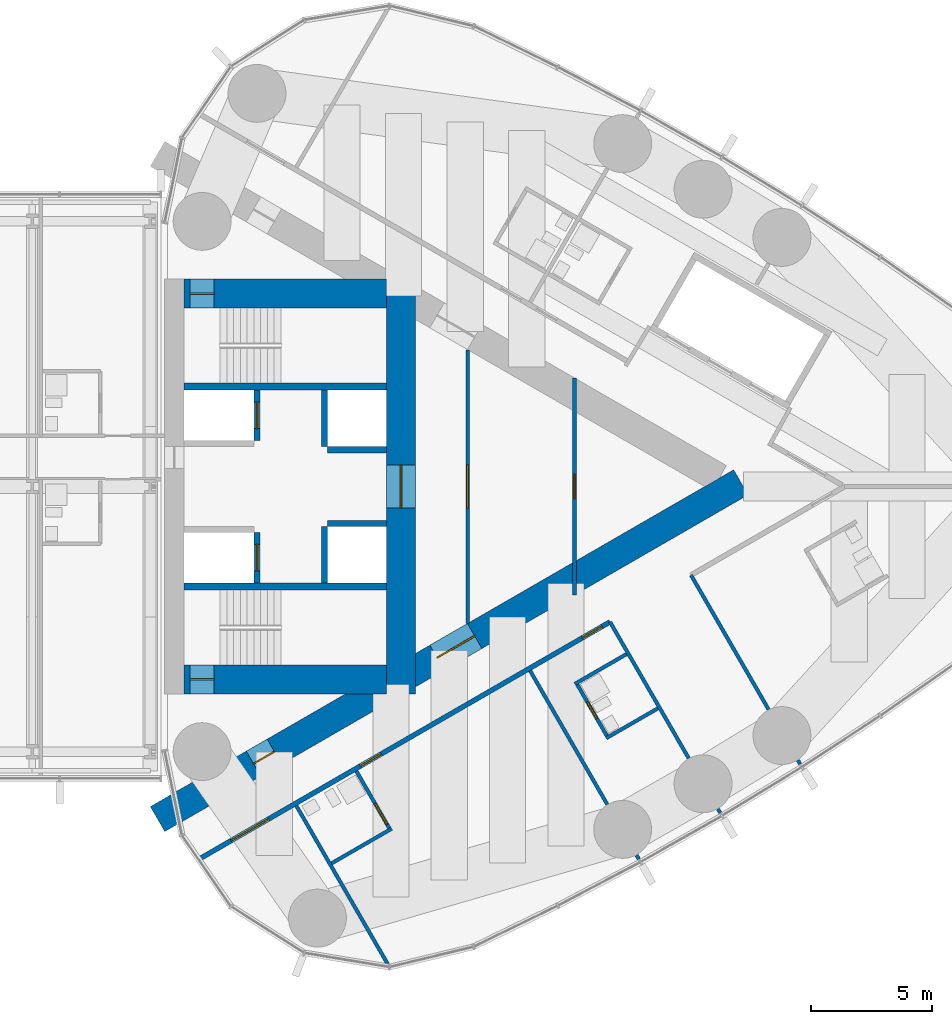
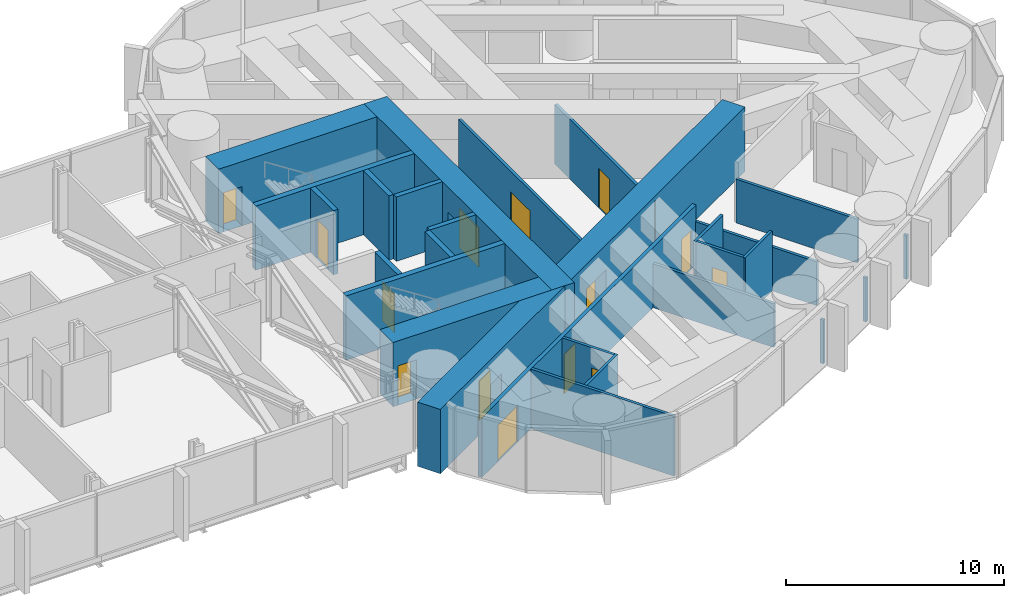
# One storey, part 18 of 22: 27 walls, 14 doors, 14 openings.
"""IFC4 building model written with IfcOpenShell, lengths in metres."""

from ifc_helpers import new_model, si_unit, direction, frame, frame_2d, origin, place, context, subcontext, project, spatial, rectangle, extrude, material, layer, layer_set, type_object, element, fill, save


model = new_model("IFC4")

# Units and contexts
model_context = context("Model", 3, precision=1e-05, world=origin(), true_north=direction((0.0, 1.0)))
body_context = subcontext(model_context, "Body", "Model", "MODEL_VIEW")
ifc_project = project(units=[si_unit("LENGTHUNIT", "METRE"), si_unit("AREAUNIT", "SQUARE_METRE"), si_unit("VOLUMEUNIT", "CUBIC_METRE"), si_unit("PLANEANGLEUNIT", "RADIAN"), si_unit("MASSUNIT", "GRAM", prefix="KILO")], contexts=[model_context])

# Site, building, storey
site_placement = place(None, origin())
site = spatial("IfcSite", under=ifc_project, at=site_placement, CompositionType="ELEMENT")
building_placement = place(site_placement, origin())
building = spatial("IfcBuilding", under=site, at=building_placement, Name="Lancet Gate Hotel", CompositionType="ELEMENT")
storey_placement = place(building_placement, frame((0.0, 0.0, 233.300048828125)))
storey = spatial("IfcBuildingStorey", under=building, at=storey_placement, Name="L62", CompositionType="ELEMENT", Elevation=233.300048828125)

# Wall
ifc_material_1 = material(Name="Moisture resistant board partition")
ifc_layer_1 = layer(ifc_material_1, 0.14990234375)
ifc_layer_set_1 = layer_set([ifc_layer_1], Name="Bathroom wall 150")
wall_type_1 = type_object("IfcWallType", Name="Bathroom wall 150", PredefinedType="PARTITIONING", material=ifc_layer_set_1)
wall_1_placement = place(storey_placement, frame((34.425048828125, -15.633056640625, 0.0), z_axis=(0.0, 0.0, 1.0), x_axis=(0.866018712932, 0.500011588718, 0.0)))
element("IfcWall", 1, at=wall_1_placement, inside=storey, type_object=wall_type_1, Name="T2 bathroom wall 150 L62", PredefinedType="PARTITIONING", context=body_context, shape_type="SweptSolid", body=[
    extrude(rectangle(XDim=2.875, YDim=0.14990234375, at=frame_2d((1.4375, 0.0))), origin(), (0.0, 0.0, 1.0), 3.349853515625),
])

# Wall, opening, door
wall_2_placement = place(storey_placement, frame((35.449951171875, -11.80810546875, 0.0), z_axis=(0.0, 0.0, 1.0), x_axis=(0.49994636267, -0.866056369097, 0.0)))
wall_2 = element("IfcWall", 2, at=wall_2_placement, inside=storey, type_object=wall_type_1, Name="T2 bathroom wall 150 L62", PredefinedType="PARTITIONING", context=body_context, shape_type="SweptSolid", body=[
    extrude(rectangle(XDim=2.800048828125, YDim=0.14990234375, at=frame_2d((1.39990234375, 0.0))), origin(), (0.0, 0.0, 1.0), 3.349853515625),
])
opening_1_placement = place(wall_2_placement, frame((1.550048828125, 0.0, 0.0)))
opening_1 = element("IfcOpeningElement", 3, at=opening_1_placement, cuts=wall_2, Name="Opening 6252-B", PredefinedType="OPENING", context=body_context, shape_type="SweptSolid", body=[
    extrude(rectangle(XDim=1.0, YDim=2.199951171875, at=frame_2d((0.5, 1.10009765625))), frame((0.0, 0.0849609375, 0.0), z_axis=(0.0, -1.0, 0.0), x_axis=(1.0, 0.0, 0.0)), (0.0, 0.0, 1.0), 0.169921875),
])
ifc_material_2 = material(Name="Timber door set", Category="wood")
door_type_1 = type_object("IfcDoorType", Name="Accessible en-suite door 1000", OperationType="SINGLE_SWING_RIGHT", PredefinedType="DOOR", material=ifc_material_2)
door_1_placement = place(opening_1_placement, origin())
door_1 = element("IfcDoor", 4, at=door_1_placement, inside=storey, type_object=door_type_1, Name="6252-B", OperationType="SINGLE_SWING_RIGHT", OverallHeight=2.199951171875, OverallWidth=1.0, PredefinedType="DOOR", context=body_context, shape_type="SweptSolid", body=[
    extrude(rectangle(XDim=1.0, YDim=2.199951171875, at=frame_2d((0.5, 1.10009765625))), frame((0.0, 0.02490234375, 0.0), z_axis=(0.0, -1.0, 0.0), x_axis=(1.0, 0.0, 0.0)), (0.0, 0.0, 1.0), 0.050048828125),
])
fill(opening_1, door_1)

# Wall
wall_3_placement = place(storey_placement, frame((45.814453125, -10.44287109375, 0.0), z_axis=(0.0, 0.0, 1.0), x_axis=(0.866073894602, 0.499916002032, 0.0)))
element("IfcWall", 5, at=wall_3_placement, inside=storey, type_object=wall_type_1, Name="T2 bathroom wall 150 L62", PredefinedType="PARTITIONING", context=body_context, shape_type="SweptSolid", body=[
    extrude(rectangle(XDim=2.47509765625, YDim=0.14990234375, at=frame_2d((1.237548828125, 0.0))), origin(), (0.0, 0.0, 1.0), 3.349853515625),
])

# Wall, opening, door
wall_4_placement = place(storey_placement, frame((44.579345703125, -8.15380859375, 0.0), z_axis=(0.0, 0.0, 1.0), x_axis=(0.500006934395, -0.866021400173, 0.0)))
wall_4 = element("IfcWall", 6, at=wall_4_placement, inside=storey, type_object=wall_type_1, Name="T2 bathroom wall 150 L62", PredefinedType="PARTITIONING", context=body_context, shape_type="SweptSolid", body=[
    extrude(rectangle(XDim=2.60009765625, YDim=0.14990234375, at=frame_2d((1.300048828125, 0.0))), origin(), (0.0, 0.0, 1.0), 3.349853515625),
])
opening_2_placement = place(wall_4_placement, frame((0.89990234375, 0.0, 0.0)))
opening_2 = element("IfcOpeningElement", 7, at=opening_2_placement, cuts=wall_4, Name="Opening 6253-B", PredefinedType="OPENING", context=body_context, shape_type="SweptSolid", body=[
    extrude(rectangle(XDim=0.800048828125, YDim=2.199951171875, at=frame_2d((0.39990234375, 1.10009765625))), frame((0.0, 0.0849609375, 0.0), z_axis=(0.0, -1.0, 0.0), x_axis=(1.0, 0.0, 0.0)), (0.0, 0.0, 1.0), 0.169921875),
])
ifc_material_3 = material(Name="Timber door set", Category="wood")
door_type_2 = type_object("IfcDoorType", Name="Bathroom door 800", OperationType="SINGLE_SWING_RIGHT", PredefinedType="DOOR", material=ifc_material_3)
door_2_placement = place(opening_2_placement, origin())
door_2 = element("IfcDoor", 8, at=door_2_placement, inside=storey, type_object=door_type_2, Name="6253-B", OperationType="SINGLE_SWING_RIGHT", OverallHeight=2.199951171875, OverallWidth=0.800048828125, PredefinedType="DOOR", context=body_context, shape_type="SweptSolid", body=[
    extrude(rectangle(XDim=0.800048828125, YDim=2.199951171875, at=frame_2d((0.39990234375, 1.10009765625))), frame((0.0, 0.02490234375, 0.0), z_axis=(0.0, -1.0, 0.0), x_axis=(1.0, 0.0, 0.0)), (0.0, 0.0, 1.0), 0.050048828125),
])
fill(opening_2, door_2)

# Wall
wall_5_placement = place(storey_placement, frame((44.514404296875, -8.19140625, 0.0), z_axis=(0.0, 0.0, 1.0), x_axis=(0.866031185235, 0.4999899861, 0.0)))
element("IfcWall", 9, at=wall_5_placement, inside=storey, type_object=wall_type_1, Name="T2 bathroom wall 150 L62", PredefinedType="PARTITIONING", context=body_context, shape_type="SweptSolid", body=[
    extrude(rectangle(XDim=2.47509765625, YDim=0.14990234375, at=frame_2d((1.237548828125, 0.0))), origin(), (0.0, 0.0, 1.0), 3.349853515625),
])

# Wall, openings, doors
ifc_material_4 = material(Name="Concrete C70/85", Category="concrete")
ifc_layer_2 = layer(ifc_material_4, 1.199951171875)
ifc_layer_set_2 = layer_set([ifc_layer_2], Name="Buttress wall 1200")
wall_type_2 = type_object("IfcWallType", Name="Buttress wall 1200", PredefinedType="SHEAR", material=ifc_layer_set_2)
wall_6_placement = place(storey_placement, frame((27.199951171875, -13.800048828125, 0.0), z_axis=(0.0, 0.0, 1.0), x_axis=(0.866027159892, 0.499996958321, 0.0)))
wall_6 = element("IfcWall", 10, at=wall_6_placement, inside=storey, type_object=wall_type_2, Name="T2 buttress wall S L62", PredefinedType="SHEAR", context=body_context, shape_type="SweptSolid", body=[
    extrude(rectangle(XDim=27.946533203125, YDim=1.199951171875, at=frame_2d((13.97314453125, 0.0))), origin(), (0.0, 0.0, 1.0), 3.599853515625),
])
opening_3_placement = place(wall_6_placement, frame((4.60009765625, 0.0, 0.0)))
opening_3 = element("IfcOpeningElement", 11, at=opening_3_placement, cuts=wall_6, Name="Opening T2-L62-LS", PredefinedType="OPENING", context=body_context, shape_type="SweptSolid", body=[
    extrude(rectangle(XDim=1.0, YDim=2.199951171875, at=frame_2d((0.5, 1.10009765625))), frame((0.0, 0.60986328125, 0.0), z_axis=(0.0, -1.0, 0.0), x_axis=(1.0, 0.0, 0.0)), (0.0, 0.0, 1.0), 1.219970703125),
])
opening_4_placement = place(wall_6_placement, frame((13.39453125, 0.0, 0.0)))
opening_4 = element("IfcOpeningElement", 12, at=opening_4_placement, cuts=wall_6, Name="Opening T2-L62-LHS", PredefinedType="OPENING", context=body_context, shape_type="SweptSolid", body=[
    extrude(rectangle(XDim=1.800048828125, YDim=2.199951171875, at=frame_2d((0.89990234375, 1.10009765625))), frame((0.0, 0.60986328125, 0.0), z_axis=(0.0, -1.0, 0.0), x_axis=(1.0, 0.0, 0.0)), (0.0, 0.0, 1.0), 1.219970703125),
])
ifc_material_5 = material(Name="Timber door set", Category="wood")
door_type_3 = type_object("IfcDoorType", Name="Lobby double door 1800", OperationType="DOUBLE_DOOR_SINGLE_SWING", PredefinedType="DOOR", material=ifc_material_5)
door_3_placement = place(opening_4_placement, origin())
door_3 = element("IfcDoor", 13, at=door_3_placement, inside=storey, type_object=door_type_3, Name="T2-L62-LHS", OperationType="DOUBLE_DOOR_SINGLE_SWING", OverallHeight=2.199951171875, OverallWidth=1.800048828125, PredefinedType="DOOR", context=body_context, shape_type="SweptSolid", body=[
    extrude(rectangle(XDim=1.800048828125, YDim=2.199951171875, at=frame_2d((0.89990234375, 1.10009765625))), frame((0.0, 0.02490234375, 0.0), z_axis=(0.0, -1.0, 0.0), x_axis=(1.0, 0.0, 0.0)), (0.0, 0.0, 1.0), 0.050048828125),
])
fill(opening_4, door_3)
ifc_material_6 = material(Name="Timber door set", Category="wood")
door_type_4 = type_object("IfcDoorType", Name="Stair lobby door 1000", OperationType="SINGLE_SWING_LEFT", PredefinedType="DOOR", material=ifc_material_6)
door_4_placement = place(opening_3_placement, origin())
door_4 = element("IfcDoor", 14, at=door_4_placement, inside=storey, type_object=door_type_4, Name="T2-L62-LS", OperationType="SINGLE_SWING_LEFT", OverallHeight=2.199951171875, OverallWidth=1.0, PredefinedType="DOOR", context=body_context, shape_type="SweptSolid", body=[
    extrude(rectangle(XDim=1.0, YDim=2.199951171875, at=frame_2d((0.5, 1.10009765625))), frame((0.0, 0.02490234375, 0.0), z_axis=(0.0, -1.0, 0.0), x_axis=(1.0, 0.0, 0.0)), (0.0, 0.0, 1.0), 0.050048828125),
])
fill(opening_3, door_4)

# Wall, opening, door
ifc_material_7 = material(Name="Concrete C70/85", Category="concrete")
ifc_layer_3 = layer(ifc_material_7, 1.199951171875)
ifc_layer_set_3 = layer_set([ifc_layer_3], Name="Core wall 1200")
wall_type_3 = type_object("IfcWallType", Name="Core wall 1200", PredefinedType="SHEAR", material=ifc_layer_set_3)
wall_7_placement = place(storey_placement, frame((37.300048828125, -8.60009765625, 0.0), z_axis=(0.0, 0.0, 1.0), x_axis=(0.0, 1.0, 0.0)))
wall_7 = element("IfcWall", 15, at=wall_7_placement, inside=storey, type_object=wall_type_3, Name="T2 core wall back L62", PredefinedType="SHEAR", context=body_context, shape_type="SweptSolid", body=[
    extrude(rectangle(XDim=17.2001953125, YDim=1.199951171875, at=frame_2d((8.60009765625, 0.0))), origin(), (0.0, 0.0, 1.0), 3.599853515625),
])
opening_5_placement = place(wall_7_placement, frame((7.699951171875, 0.0, 0.0)))
opening_5 = element("IfcOpeningElement", 16, at=opening_5_placement, cuts=wall_7, Name="Opening T2-L62-LL", PredefinedType="OPENING", context=body_context, shape_type="SweptSolid", body=[
    extrude(rectangle(XDim=1.800048828125, YDim=2.199951171875, at=frame_2d((0.89990234375, 1.10009765625))), frame((0.0, 0.60986328125, 0.0), z_axis=(0.0, -1.0, 0.0), x_axis=(1.0, 0.0, 0.0)), (0.0, 0.0, 1.0), 1.219970703125),
])
door_5_placement = place(opening_5_placement, origin())
door_5 = element("IfcDoor", 17, at=door_5_placement, inside=storey, type_object=door_type_3, Name="T2-L62-LL", OperationType="DOUBLE_DOOR_SINGLE_SWING", OverallHeight=2.199951171875, OverallWidth=1.800048828125, PredefinedType="DOOR", context=body_context, shape_type="SweptSolid", body=[
    extrude(rectangle(XDim=1.800048828125, YDim=2.199951171875, at=frame_2d((0.89990234375, 1.10009765625))), frame((0.0, 0.02490234375, 0.0), z_axis=(0.0, -1.0, 0.0), x_axis=(1.0, 0.0, 0.0)), (0.0, 0.0, 1.0), 0.050048828125),
])
fill(opening_5, door_5)

wall_8_placement = place(storey_placement, frame((28.300048828125, -8.0, 0.0), z_axis=(0.0, 0.0, 1.0), x_axis=(1.0, 0.0, 0.0)))
wall_8 = element("IfcWall", 18, at=wall_8_placement, inside=storey, type_object=wall_type_3, Name="T2 core wall side-S L62", PredefinedType="SHEAR", context=body_context, shape_type="SweptSolid", body=[
    extrude(rectangle(XDim=8.39990234375, YDim=1.199951171875, at=frame_2d((4.199951171875, 0.0))), origin(), (0.0, 0.0, 1.0), 3.599853515625),
])
opening_6_placement = place(wall_8_placement, frame((0.25, 0.0, 0.0)))
opening_6 = element("IfcOpeningElement", 19, at=opening_6_placement, cuts=wall_8, Name="Opening T2-L62-ST1", PredefinedType="OPENING", context=body_context, shape_type="SweptSolid", body=[
    extrude(rectangle(XDim=1.0, YDim=2.199951171875, at=frame_2d((0.5, 1.10009765625))), frame((0.0, 0.60986328125, 0.0), z_axis=(0.0, -1.0, 0.0), x_axis=(1.0, 0.0, 0.0)), (0.0, 0.0, 1.0), 1.219970703125),
])
ifc_material_8 = material(Name="Timber door set", Category="wood")
door_type_5 = type_object("IfcDoorType", Name="Stair door 1000", OperationType="SINGLE_SWING_RIGHT", PredefinedType="DOOR", material=ifc_material_8)
door_6_placement = place(opening_6_placement, origin())
door_6 = element("IfcDoor", 20, at=door_6_placement, inside=storey, type_object=door_type_5, Name="T2-L62-ST1", OperationType="SINGLE_SWING_RIGHT", OverallHeight=2.199951171875, OverallWidth=1.0, PredefinedType="DOOR", context=body_context, shape_type="SweptSolid", body=[
    extrude(rectangle(XDim=1.0, YDim=2.199951171875, at=frame_2d((0.5, 1.10009765625))), frame((0.0, 0.02490234375, 0.0), z_axis=(0.0, -1.0, 0.0), x_axis=(1.0, 0.0, 0.0)), (0.0, 0.0, 1.0), 0.050048828125),
])
fill(opening_6, door_6)

wall_9_placement = place(storey_placement, frame((28.300048828125, 8.0, 0.0), z_axis=(0.0, 0.0, 1.0), x_axis=(1.0, 0.0, 0.0)))
wall_9 = element("IfcWall", 21, at=wall_9_placement, inside=storey, type_object=wall_type_3, Name="T2 core wall side-N L62", PredefinedType="SHEAR", context=body_context, shape_type="SweptSolid", body=[
    extrude(rectangle(XDim=8.39990234375, YDim=1.199951171875, at=frame_2d((4.199951171875, 0.0))), origin(), (0.0, 0.0, 1.0), 3.599853515625),
])
opening_7_placement = place(wall_9_placement, frame((0.25, 0.0, 0.0)))
opening_7 = element("IfcOpeningElement", 22, at=opening_7_placement, cuts=wall_9, Name="Opening T2-L62-ST2", PredefinedType="OPENING", context=body_context, shape_type="SweptSolid", body=[
    extrude(rectangle(XDim=1.0, YDim=2.199951171875, at=frame_2d((0.5, 1.10009765625))), frame((0.0, 0.60986328125, 0.0), z_axis=(0.0, -1.0, 0.0), x_axis=(1.0, 0.0, 0.0)), (0.0, 0.0, 1.0), 1.219970703125),
])
door_7_placement = place(opening_7_placement, origin())
door_7 = element("IfcDoor", 23, at=door_7_placement, inside=storey, type_object=door_type_5, Name="T2-L62-ST2", OperationType="SINGLE_SWING_RIGHT", OverallHeight=2.199951171875, OverallWidth=1.0, PredefinedType="DOOR", context=body_context, shape_type="SweptSolid", body=[
    extrude(rectangle(XDim=1.0, YDim=2.199951171875, at=frame_2d((0.5, 1.10009765625))), frame((0.0, 0.02490234375, 0.0), z_axis=(0.0, -1.0, 0.0), x_axis=(1.0, 0.0, 0.0)), (0.0, 0.0, 1.0), 0.050048828125),
])
fill(opening_7, door_7)

# Wall, openings, doors
ifc_material_9 = material(Name="Gypsum board partition")
ifc_layer_4 = layer(ifc_material_9, 0.199951171875)
ifc_layer_set_4 = layer_set([ifc_layer_4], Name="Corridor wall 200")
wall_type_4 = type_object("IfcWallType", Name="Corridor wall 200", PredefinedType="PARTITIONING", material=ifc_layer_set_4)
wall_10_placement = place(storey_placement, frame((28.958984375, -15.440185546875, 0.0), z_axis=(0.0, 0.0, 1.0), x_axis=(0.866025204199, 0.500000345692, 0.0)))
wall_10 = element("IfcWall", 24, at=wall_10_placement, inside=storey, type_object=wall_type_4, Name="T2 corridor wall 200 L62", PredefinedType="PARTITIONING", context=body_context, shape_type="SweptSolid", body=[
    extrude(rectangle(XDim=19.64599609375, YDim=0.199951171875, at=frame_2d((9.822998046875, 0.0))), origin(), (0.0, 0.0, 1.0), 3.349853515625),
])
opening_8_placement = place(wall_10_placement, frame((1.49365234375, 0.0, 0.0)))
opening_8 = element("IfcOpeningElement", 25, at=opening_8_placement, cuts=wall_10, Name="Opening 6251-E", PredefinedType="OPENING", context=body_context, shape_type="SweptSolid", body=[
    extrude(rectangle(XDim=1.800048828125, YDim=2.030029296875, at=frame_2d((0.89990234375, 1.01513671875))), frame((0.0, 0.10986328125, 0.0), z_axis=(0.0, -1.0, 0.0), x_axis=(1.0, 0.0, 0.0)), (0.0, 0.0, 1.0), 0.219970703125),
])
opening_9_placement = place(wall_10_placement, frame((7.687255859375, 0.0, 0.0)))
opening_9 = element("IfcOpeningElement", 26, at=opening_9_placement, cuts=wall_10, Name="Opening 6252-E", PredefinedType="OPENING", context=body_context, shape_type="SweptSolid", body=[
    extrude(rectangle(XDim=1.0, YDim=2.199951171875, at=frame_2d((0.5, 1.10009765625))), frame((0.0, 0.10986328125, 0.0), z_axis=(0.0, -1.0, 0.0), x_axis=(1.0, 0.0, 0.0)), (0.0, 0.0, 1.0), 0.219970703125),
])
opening_10_placement = place(wall_10_placement, frame((18.32080078125, 0.0, 0.0)))
opening_10 = element("IfcOpeningElement", 27, at=opening_10_placement, cuts=wall_10, Name="Opening 6253-E", PredefinedType="OPENING", context=body_context, shape_type="SweptSolid", body=[
    extrude(rectangle(XDim=0.949951171875, YDim=2.199951171875, at=frame_2d((0.47509765625, 1.10009765625))), frame((0.0, 0.10986328125, 0.0), z_axis=(0.0, -1.0, 0.0), x_axis=(1.0, 0.0, 0.0)), (0.0, 0.0, 1.0), 0.219970703125),
])
ifc_material_10 = material(Name="Timber door set", Category="wood")
door_type_6 = type_object("IfcDoorType", Name="Accessible guest room door 1000", OperationType="SINGLE_SWING_LEFT", PredefinedType="DOOR", material=ifc_material_10)
door_8_placement = place(opening_9_placement, origin())
door_8 = element("IfcDoor", 28, at=door_8_placement, inside=storey, type_object=door_type_6, Name="6252-E", OperationType="SINGLE_SWING_LEFT", OverallHeight=2.199951171875, OverallWidth=1.0, PredefinedType="DOOR", context=body_context, shape_type="SweptSolid", body=[
    extrude(rectangle(XDim=1.0, YDim=2.199951171875, at=frame_2d((0.5, 1.10009765625))), frame((0.0, 0.02490234375, 0.0), z_axis=(0.0, -1.0, 0.0), x_axis=(1.0, 0.0, 0.0)), (0.0, 0.0, 1.0), 0.050048828125),
])
fill(opening_9, door_8)
ifc_material_11 = material(Name="Timber door set", Category="wood")
door_type_7 = type_object("IfcDoorType", Name="Double door 1800, 2030 high", OperationType="DOUBLE_DOOR_SINGLE_SWING", PredefinedType="DOOR", material=ifc_material_11)
door_9_placement = place(opening_8_placement, origin())
door_9 = element("IfcDoor", 29, at=door_9_placement, inside=storey, type_object=door_type_7, Name="6251-E", OperationType="DOUBLE_DOOR_SINGLE_SWING", OverallHeight=2.030029296875, OverallWidth=1.800048828125, PredefinedType="DOOR", context=body_context, shape_type="SweptSolid", body=[
    extrude(rectangle(XDim=1.800048828125, YDim=2.030029296875, at=frame_2d((0.89990234375, 1.01513671875))), frame((0.0, 0.02490234375, 0.0), z_axis=(0.0, -1.0, 0.0), x_axis=(1.0, 0.0, 0.0)), (0.0, 0.0, 1.0), 0.050048828125),
])
fill(opening_8, door_9)
ifc_material_12 = material(Name="Timber door set", Category="wood")
door_type_8 = type_object("IfcDoorType", Name="Guest room entry door 950", OperationType="SINGLE_SWING_LEFT", PredefinedType="DOOR", material=ifc_material_12)
door_10_placement = place(opening_10_placement, origin())
door_10 = element("IfcDoor", 30, at=door_10_placement, inside=storey, type_object=door_type_8, Name="6253-E", OperationType="SINGLE_SWING_LEFT", OverallHeight=2.199951171875, OverallWidth=0.949951171875, PredefinedType="DOOR", context=body_context, shape_type="SweptSolid", body=[
    extrude(rectangle(XDim=0.949951171875, YDim=2.199951171875, at=frame_2d((0.47509765625, 1.10009765625))), frame((0.0, 0.02490234375, 0.0), z_axis=(0.0, -1.0, 0.0), x_axis=(1.0, 0.0, 0.0)), (0.0, 0.0, 1.0), 0.050048828125),
])
fill(opening_10, door_10)

# Wall, opening, door
ifc_material_13 = material(Name="Concrete C50/60", Category="concrete")
ifc_layer_5 = layer(ifc_material_13, 0.25)
ifc_layer_set_5 = layer_set([ifc_layer_5], Name="Lift shaft wall 250")
wall_type_5 = type_object("IfcWallType", Name="Lift shaft wall 250", PredefinedType="SHEAR", material=ifc_layer_set_5)
wall_11_placement = place(storey_placement, frame((31.324951171875, -4.0, 0.0), z_axis=(0.0, 0.0, 1.0), x_axis=(0.0, 1.0, 0.0)))
wall_11 = element("IfcWall", 31, at=wall_11_placement, inside=storey, type_object=wall_type_5, Name="T2 core wall row1-S L62", PredefinedType="SHEAR", context=body_context, shape_type="SweptSolid", body=[
    extrude(rectangle(XDim=2.10009765625, YDim=0.25, at=frame_2d((1.050048828125, 0.0))), origin(), (0.0, 0.0, 1.0), 3.599853515625),
])
opening_11_placement = place(wall_11_placement, frame((0.5, 0.0, 0.0)))
opening_11 = element("IfcOpeningElement", 32, at=opening_11_placement, cuts=wall_11, Name="Opening T2-SL1-L62", PredefinedType="OPENING", context=body_context, shape_type="SweptSolid", body=[
    extrude(rectangle(XDim=1.10009765625, YDim=2.199951171875, at=frame_2d((0.550048828125, 1.10009765625))), frame((0.0, 0.135009765625, 0.0), z_axis=(0.0, -1.0, 0.0), x_axis=(1.0, 0.0, 0.0)), (0.0, 0.0, 1.0), 0.27001953125),
])
ifc_material_14 = material(Name="Timber door set", Category="wood")
door_type_9 = type_object("IfcDoorType", Name="Service lift landing door 1100", OperationType="SLIDING_TO_LEFT", PredefinedType="USERDEFINED", material=ifc_material_14)
door_11_placement = place(opening_11_placement, origin())
door_11 = element("IfcDoor", 33, at=door_11_placement, inside=storey, type_object=door_type_9, Name="T2-SL1-L62", ObjectType="LIFT LANDING DOOR", OperationType="SLIDING_TO_LEFT", OverallHeight=2.199951171875, OverallWidth=1.10009765625, PredefinedType="USERDEFINED", context=body_context, shape_type="SweptSolid", body=[
    extrude(rectangle(XDim=1.10009765625, YDim=2.199951171875, at=frame_2d((0.550048828125, 1.10009765625))), frame((0.0, 0.02490234375, 0.0), z_axis=(0.0, -1.0, 0.0), x_axis=(1.0, 0.0, 0.0)), (0.0, 0.0, 1.0), 0.050048828125),
])
fill(opening_11, door_11)

# Walls
wall_12_placement = place(storey_placement, frame((34.125, -4.0, 0.0), z_axis=(0.0, 0.0, 1.0), x_axis=(0.0, 1.0, 0.0)))
element("IfcWall", 34, at=wall_12_placement, inside=storey, type_object=wall_type_5, Name="T2 core wall row2-S L62", PredefinedType="SHEAR", context=body_context, shape_type="SweptSolid", body=[
    extrude(rectangle(XDim=2.35009765625, YDim=0.25, at=frame_2d((1.175048828125, 0.0))), origin(), (0.0, 0.0, 1.0), 3.599853515625),
])
wall_13_placement = place(storey_placement, frame((34.25, -1.52490234375, 0.0), z_axis=(0.0, 0.0, 1.0), x_axis=(1.0, 0.0, 0.0)))
element("IfcWall", 35, at=wall_13_placement, inside=storey, type_object=wall_type_5, Name="T2 core wall pass2-S L62", PredefinedType="SHEAR", context=body_context, shape_type="SweptSolid", body=[
    extrude(rectangle(XDim=2.449951171875, YDim=0.25, at=frame_2d((1.22509765625, 0.0))), origin(), (0.0, 0.0, 1.0), 3.599853515625),
])

# Wall, opening, door
wall_14_placement = place(storey_placement, frame((31.324951171875, 1.89990234375, 0.0), z_axis=(0.0, 0.0, 1.0), x_axis=(0.0, 1.0, 0.0)))
wall_14 = element("IfcWall", 36, at=wall_14_placement, inside=storey, type_object=wall_type_5, Name="T2 core wall row1-N L62", PredefinedType="SHEAR", context=body_context, shape_type="SweptSolid", body=[
    extrude(rectangle(XDim=2.10009765625, YDim=0.25, at=frame_2d((1.050048828125, 0.0))), origin(), (0.0, 0.0, 1.0), 3.599853515625),
])
opening_12_placement = place(wall_14_placement, frame((0.5, 0.0, 0.0)))
opening_12 = element("IfcOpeningElement", 37, at=opening_12_placement, cuts=wall_14, Name="Opening T2-FL2-L62", PredefinedType="OPENING", context=body_context, shape_type="SweptSolid", body=[
    extrude(rectangle(XDim=1.10009765625, YDim=2.199951171875, at=frame_2d((0.550048828125, 1.10009765625))), frame((0.0, 0.135009765625, 0.0), z_axis=(0.0, -1.0, 0.0), x_axis=(1.0, 0.0, 0.0)), (0.0, 0.0, 1.0), 0.27001953125),
])
ifc_material_15 = material(Name="Steel door set", Category="steel")
door_type_10 = type_object("IfcDoorType", Name="Firefighting lift landing door 1100", OperationType="SLIDING_TO_LEFT", PredefinedType="USERDEFINED", material=ifc_material_15)
door_12_placement = place(opening_12_placement, origin())
door_12 = element("IfcDoor", 38, at=door_12_placement, inside=storey, type_object=door_type_10, Name="T2-FL2-L62", ObjectType="LIFT LANDING DOOR", OperationType="SLIDING_TO_LEFT", OverallHeight=2.199951171875, OverallWidth=1.10009765625, PredefinedType="USERDEFINED", context=body_context, shape_type="SweptSolid", body=[
    extrude(rectangle(XDim=1.10009765625, YDim=2.199951171875, at=frame_2d((0.550048828125, 1.10009765625))), frame((0.0, 0.02490234375, 0.0), z_axis=(0.0, -1.0, 0.0), x_axis=(1.0, 0.0, 0.0)), (0.0, 0.0, 1.0), 0.050048828125),
])
fill(opening_12, door_12)

# Walls
wall_15_placement = place(storey_placement, frame((34.125, 1.64990234375, 0.0), z_axis=(0.0, 0.0, 1.0), x_axis=(0.0, 1.0, 0.0)))
element("IfcWall", 39, at=wall_15_placement, inside=storey, type_object=wall_type_5, Name="T2 core wall row2-N L62", PredefinedType="SHEAR", context=body_context, shape_type="SweptSolid", body=[
    extrude(rectangle(XDim=2.35009765625, YDim=0.25, at=frame_2d((1.175048828125, 0.0))), origin(), (0.0, 0.0, 1.0), 3.599853515625),
])
wall_16_placement = place(storey_placement, frame((34.25, 1.52490234375, 0.0), z_axis=(0.0, 0.0, 1.0), x_axis=(1.0, 0.0, 0.0)))
element("IfcWall", 40, at=wall_16_placement, inside=storey, type_object=wall_type_5, Name="T2 core wall pass2-N L62", PredefinedType="SHEAR", context=body_context, shape_type="SweptSolid", body=[
    extrude(rectangle(XDim=2.449951171875, YDim=0.25, at=frame_2d((1.22509765625, 0.0))), origin(), (0.0, 0.0, 1.0), 3.599853515625),
])
ifc_material_16 = material(Name="Gypsum board partition")
ifc_layer_6 = layer(ifc_material_16, 0.14990234375)
ifc_layer_set_6 = layer_set([ifc_layer_6], Name="Party wall 150")
wall_type_6 = type_object("IfcWallType", Name="Party wall 150", PredefinedType="PARTITIONING", material=ifc_layer_set_6)
wall_17_placement = place(storey_placement, frame((32.9599609375, -13.24560546875, 0.0), z_axis=(0.0, 0.0, 1.0), x_axis=(0.500000236886, -0.866025267018, 0.0)))
element("IfcWall", 41, at=wall_17_placement, inside=storey, type_object=wall_type_6, Name="T2 party wall 150 L62", PredefinedType="PARTITIONING", context=body_context, shape_type="SweptSolid", body=[
    extrude(rectangle(XDim=7.58251953125, YDim=0.14990234375, at=frame_2d((3.791259765625, 0.0))), origin(), (0.0, 0.0, 1.0), 3.349853515625),
])
wall_18_placement = place(storey_placement, frame((42.65966796875, -7.6455078125, 0.0), z_axis=(0.0, 0.0, 1.0), x_axis=(0.499996592859, -0.866027370889, 0.0)))
element("IfcWall", 42, at=wall_18_placement, inside=storey, type_object=wall_type_6, Name="T2 party wall 150 L62", PredefinedType="PARTITIONING", context=body_context, shape_type="SweptSolid", body=[
    extrude(rectangle(XDim=6.3984375, YDim=0.14990234375, at=frame_2d((3.19921875, 0.0))), origin(), (0.0, 0.0, 1.0), 2.449951171875),
])
wall_19_placement = place(storey_placement, frame((47.078857421875, -15.2998046875, 0.0), z_axis=(0.0, 0.0, 1.0), x_axis=(0.499212083968, -0.866479829667, 0.0)))
element("IfcWall", 43, at=wall_19_placement, inside=storey, type_object=wall_type_6, Name="T2 party wall 150 L62", PredefinedType="PARTITIONING", context=body_context, shape_type="SweptSolid", body=[
    extrude(rectangle(XDim=0.179443359375, YDim=0.14990234375, at=frame_2d((0.08984375, 0.0))), origin(), (0.0, 0.0, 1.0), 2.449951171875),
])
wall_20_placement = place(storey_placement, frame((45.972900390625, -5.6171875, 0.0), z_axis=(0.0, 0.0, 1.0), x_axis=(0.499985856986, -0.866033569104, 0.0)))
element("IfcWall", 44, at=wall_20_placement, inside=storey, type_object=wall_type_6, Name="T2 party wall 150 L62", PredefinedType="PARTITIONING", context=body_context, shape_type="SweptSolid", body=[
    extrude(rectangle(XDim=6.525634765625, YDim=0.14990234375, at=frame_2d((3.2626953125, 0.0))), origin(), (0.0, 0.0, 1.0), 2.449951171875),
])
wall_21_placement = place(storey_placement, frame((50.45556640625, -13.381591796875, 0.0), z_axis=(0.0, 0.0, 1.0), x_axis=(0.500661834965, -0.865642955848, 0.0)))
element("IfcWall", 45, at=wall_21_placement, inside=storey, type_object=wall_type_6, Name="T2 party wall 150 L62", PredefinedType="PARTITIONING", context=body_context, shape_type="SweptSolid", body=[
    extrude(rectangle(XDim=0.179931640625, YDim=0.14990234375, at=frame_2d((0.08984375, 0.0))), origin(), (0.0, 0.0, 1.0), 2.449951171875),
])
wall_22_placement = place(storey_placement, frame((49.335205078125, -3.676025390625, 0.0), z_axis=(0.0, 0.0, 1.0), x_axis=(0.500000613642, -0.866025049498, 0.0)))
element("IfcWall", 46, at=wall_22_placement, inside=storey, type_object=wall_type_6, Name="T2 party wall 150 L62", PredefinedType="PARTITIONING", context=body_context, shape_type="SweptSolid", body=[
    extrude(rectangle(XDim=6.4326171875, YDim=0.14990234375, at=frame_2d((3.21630859375, 0.0))), origin(), (0.0, 0.0, 1.0), 2.449951171875),
])
wall_23_placement = place(storey_placement, frame((53.771484375, -11.35986328125, 0.0), z_axis=(0.0, 0.0, 1.0), x_axis=(0.499524978789, -0.866299483762, 0.0)))
element("IfcWall", 47, at=wall_23_placement, inside=storey, type_object=wall_type_6, Name="T2 party wall 150 L62", PredefinedType="PARTITIONING", context=body_context, shape_type="SweptSolid", body=[
    extrude(rectangle(XDim=0.178466796875, YDim=0.14990234375, at=frame_2d((0.08935546875, 0.0))), origin(), (0.0, 0.0, 1.0), 2.449951171875),
])

# Wall, opening, door
ifc_material_17 = material(Name="Gypsum board partition")
ifc_layer_7 = layer(ifc_material_17, 0.14990234375)
ifc_layer_set_7 = layer_set([ifc_layer_7], Name="Service room wall 150")
wall_type_7 = type_object("IfcWallType", Name="Service room wall 150", PredefinedType="PARTITIONING", material=ifc_layer_set_7)
wall_24_placement = place(storey_placement, frame((40.074951171875, -5.673828125, 0.0), z_axis=(0.0, 0.0, 1.0), x_axis=(0.0, 1.0, 0.0)))
wall_24 = element("IfcWall", 48, at=wall_24_placement, inside=storey, type_object=wall_type_7, Name="T2 service room wall 150 L62", PredefinedType="PARTITIONING", context=body_context, shape_type="SweptSolid", body=[
    extrude(rectangle(XDim=11.34765625, YDim=0.14990234375, at=frame_2d((5.673828125, 0.0))), origin(), (0.0, 0.0, 1.0), 3.349853515625),
])
opening_13_placement = place(wall_24_placement, frame((4.773681640625, 0.0, 0.0)))
opening_13 = element("IfcOpeningElement", 49, at=opening_13_placement, cuts=wall_24, Name="Opening T2-L62-LH", PredefinedType="OPENING", context=body_context, shape_type="SweptSolid", body=[
    extrude(rectangle(XDim=1.800048828125, YDim=2.199951171875, at=frame_2d((0.89990234375, 1.10009765625))), frame((0.0, 0.0849609375, 0.0), z_axis=(0.0, -1.0, 0.0), x_axis=(1.0, 0.0, 0.0)), (0.0, 0.0, 1.0), 0.169921875),
])
door_13_placement = place(opening_13_placement, origin())
door_13 = element("IfcDoor", 50, at=door_13_placement, inside=storey, type_object=door_type_3, Name="T2-L62-LH", OperationType="DOUBLE_DOOR_SINGLE_SWING", OverallHeight=2.199951171875, OverallWidth=1.800048828125, PredefinedType="DOOR", context=body_context, shape_type="SweptSolid", body=[
    extrude(rectangle(XDim=1.800048828125, YDim=2.199951171875, at=frame_2d((0.89990234375, 1.10009765625))), frame((0.0, 0.02490234375, 0.0), z_axis=(0.0, -1.0, 0.0), x_axis=(1.0, 0.0, 0.0)), (0.0, 0.0, 1.0), 0.050048828125),
])
fill(opening_13, door_13)

wall_25_placement = place(storey_placement, frame((44.5, -4.504638671875, 0.0), z_axis=(0.0, 0.0, 1.0), x_axis=(0.0, 1.0, 0.0)))
wall_25 = element("IfcWall", 51, at=wall_25_placement, inside=storey, type_object=wall_type_7, Name="T2 service room wall 150 L62", PredefinedType="PARTITIONING", context=body_context, shape_type="SweptSolid", body=[
    extrude(rectangle(XDim=9.00927734375, YDim=0.14990234375, at=frame_2d((4.504638671875, 0.0))), origin(), (0.0, 0.0, 1.0), 3.349853515625),
])
opening_14_placement = place(wall_25_placement, frame((4.004638671875, 0.0, 0.0)))
opening_14 = element("IfcOpeningElement", 52, at=opening_14_placement, cuts=wall_25, Name="Opening T2-L62-SV", PredefinedType="OPENING", context=body_context, shape_type="SweptSolid", body=[
    extrude(rectangle(XDim=1.0, YDim=2.199951171875, at=frame_2d((0.5, 1.10009765625))), frame((0.0, 0.0849609375, 0.0), z_axis=(0.0, -1.0, 0.0), x_axis=(1.0, 0.0, 0.0)), (0.0, 0.0, 1.0), 0.169921875),
])
ifc_material_18 = material(Name="Timber door set", Category="wood")
door_type_11 = type_object("IfcDoorType", Name="Service door 1000", OperationType="SINGLE_SWING_LEFT", PredefinedType="DOOR", material=ifc_material_18)
door_14_placement = place(opening_14_placement, origin())
door_14 = element("IfcDoor", 53, at=door_14_placement, inside=storey, type_object=door_type_11, Name="T2-L62-SV", OperationType="SINGLE_SWING_LEFT", OverallHeight=2.199951171875, OverallWidth=1.0, PredefinedType="DOOR", context=body_context, shape_type="SweptSolid", body=[
    extrude(rectangle(XDim=1.0, YDim=2.199951171875, at=frame_2d((0.5, 1.10009765625))), frame((0.0, 0.02490234375, 0.0), z_axis=(0.0, -1.0, 0.0), x_axis=(1.0, 0.0, 0.0)), (0.0, 0.0, 1.0), 0.050048828125),
])
fill(opening_14, door_14)

# Walls
ifc_material_19 = material(Name="Concrete C50/60", Category="concrete")
ifc_layer_8 = layer(ifc_material_19, 0.300048828125)
ifc_layer_set_8 = layer_set([ifc_layer_8], Name="Stair enclosure wall 300")
wall_type_8 = type_object("IfcWallType", Name="Stair enclosure wall 300", PredefinedType="SHEAR", material=ifc_layer_set_8)
for number, where, z_axis, x_axis, name in (
    (54, (28.300048828125, -4.14990234375, 0.0), (0.0, 0.0, 1.0), (1.0, 0.0, 0.0), "T2 core wall stair-S L62"),
    (55, (28.300048828125, 4.14990234375, 0.0), (0.0, 0.0, 1.0), (1.0, 0.0, 0.0), "T2 core wall stair-N L62"),
):
    element("IfcWall", number, at=place(storey_placement, frame(where, z_axis=z_axis, x_axis=x_axis)), inside=storey, type_object=wall_type_8, Name=name, PredefinedType="SHEAR", context=body_context, shape_type="SweptSolid", body=[
        extrude(rectangle(XDim=8.39990234375, YDim=0.300048828125, at=frame_2d((4.199951171875, 0.0))), origin(), (0.0, 0.0, 1.0), 3.599853515625),
    ])

save(model, "model.ifc")
